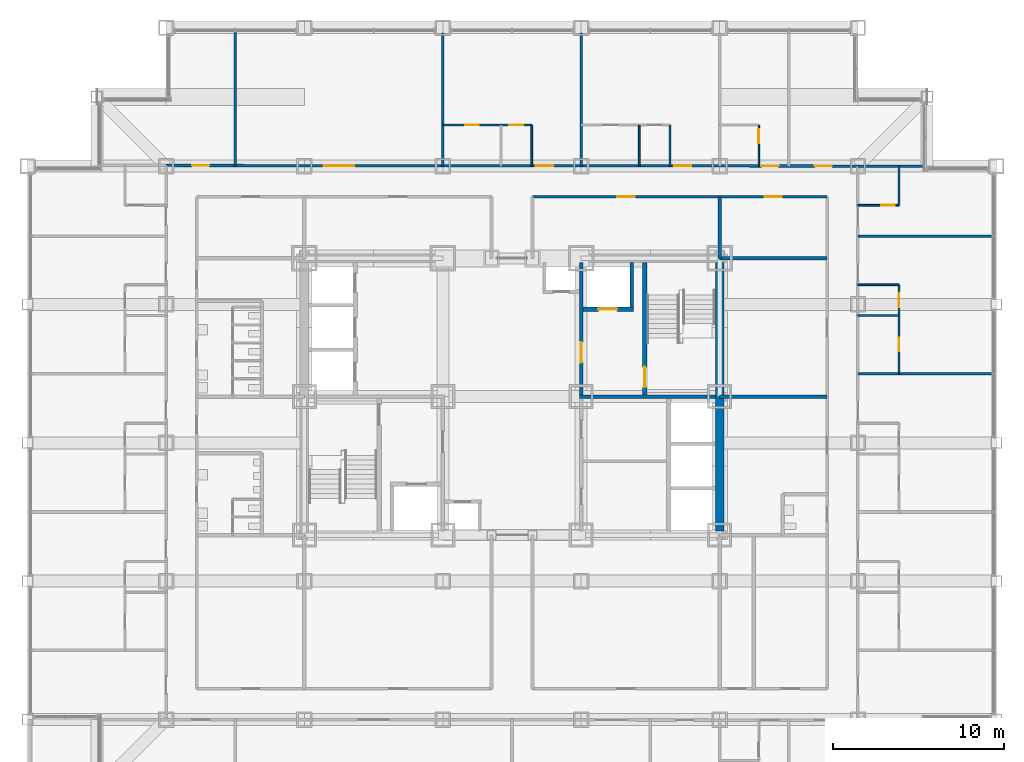
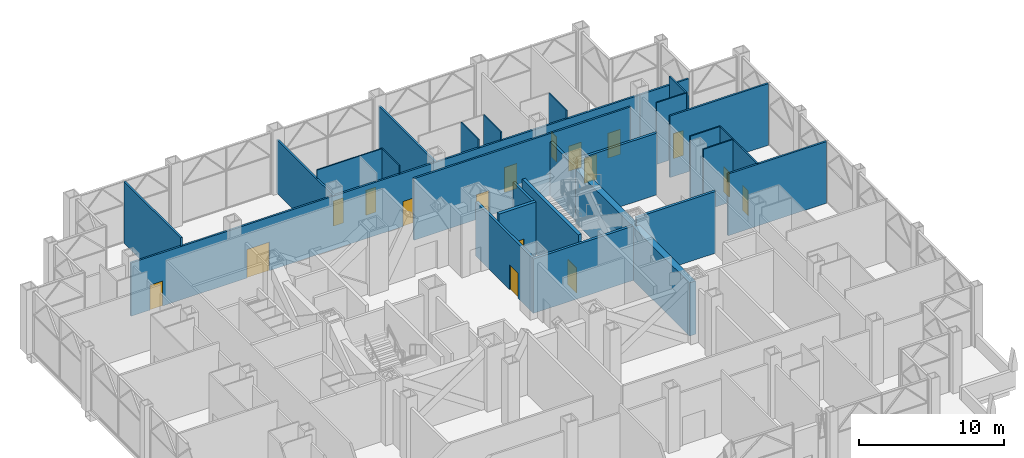
# One storey, part 23 of 26: 27 walls, 17 doors, 17 openings.
"""IFC4 building model written with IfcOpenShell, lengths in metres."""

from ifc_helpers import new_model, si_unit, direction, frame, frame_2d, origin, place, context, subcontext, project, spatial, rectangle, extrude, material, layer, layer_set, type_object, element, fill, save


model = new_model("IFC4")

# Units and contexts
model_context = context("Model", 3, precision=1e-05, world=origin(), true_north=direction((0.0, 1.0)))
body_context = subcontext(model_context, "Body", "Model", "MODEL_VIEW")
ifc_project = project(units=[si_unit("LENGTHUNIT", "METRE"), si_unit("AREAUNIT", "SQUARE_METRE"), si_unit("VOLUMEUNIT", "CUBIC_METRE"), si_unit("PLANEANGLEUNIT", "RADIAN"), si_unit("MASSUNIT", "GRAM", prefix="KILO")], contexts=[model_context])

# Site, building, storey
site_placement = place(None, origin())
site = spatial("IfcSite", under=ifc_project, at=site_placement, CompositionType="ELEMENT")
building_placement = place(site_placement, origin())
building = spatial("IfcBuilding", under=site, at=building_placement, Name="Kopane Lantern Tower", CompositionType="ELEMENT")
storey_placement = place(building_placement, frame((0.0, 0.0, 98.0)))
storey = spatial("IfcBuildingStorey", under=building, at=storey_placement, Name="L24", CompositionType="ELEMENT", Elevation=98.0)

# Wall, openings, doors
ifc_material_1 = material(Name="Moisture-resistant board on steel studs", Category="steel")
ifc_layer_1 = layer(ifc_material_1, 0.10009765625)
ifc_layer_set_1 = layer_set([ifc_layer_1], Name="BATHROOM WALL 100")
wall_type_1 = type_object("IfcWallType", Name="BATHROOM WALL 100", PredefinedType="PARTITIONING", material=ifc_layer_set_1)
wall_1_placement = place(storey_placement, frame((24.300048828125, 48.300048828125, 0.0), z_axis=(0.0, 0.0, 1.0), x_axis=(1.0, 0.0, 0.0)))
wall_1 = element("IfcWall", 1, at=wall_1_placement, inside=storey, type_object=wall_type_1, Name="Bathroom Wall 100 L24", PredefinedType="PARTITIONING", context=body_context, shape_type="SweptSolid", body=[
    extrude(rectangle(XDim=5.199951171875, YDim=0.10009765625, at=frame_2d((2.60009765625, 0.0))), origin(), (0.0, 0.0, 1.0), 5.18994140625),
])
opening_1_placement = place(wall_1_placement, frame((1.300048828125, 0.0, 0.0)))
opening_1 = element("IfcOpeningElement", 2, at=opening_1_placement, cuts=wall_1, Name="Opening L24-023", PredefinedType="OPENING", context=body_context, shape_type="SweptSolid", body=[
    extrude(rectangle(XDim=0.800048828125, YDim=2.10009765625, at=frame_2d((0.39990234375, 1.050048828125))), frame((0.0, 0.06005859375, 0.0), z_axis=(0.0, -1.0, 0.0), x_axis=(1.0, 0.0, 0.0)), (0.0, 0.0, 1.0), 0.1201171875),
])
opening_2_placement = place(wall_1_placement, frame((3.89990234375, 0.0, 0.0)))
opening_2 = element("IfcOpeningElement", 3, at=opening_2_placement, cuts=wall_1, Name="Opening L24-024", PredefinedType="OPENING", context=body_context, shape_type="SweptSolid", body=[
    extrude(rectangle(XDim=0.800048828125, YDim=2.10009765625, at=frame_2d((0.39990234375, 1.050048828125))), frame((0.0, 0.06005859375, 0.0), z_axis=(0.0, -1.0, 0.0), x_axis=(1.0, 0.0, 0.0)), (0.0, 0.0, 1.0), 0.1201171875),
])
ifc_material_2 = material(Name="Timber door set", Category="wood")
door_type_1 = type_object("IfcDoorType", Name="DOOR D2 800x2100", OperationType="SINGLE_SWING_LEFT", PredefinedType="DOOR", material=ifc_material_2)
door_1_placement = place(opening_1_placement, origin())
door_1 = element("IfcDoor", 4, at=door_1_placement, inside=storey, type_object=door_type_1, Name="Door L24-023", OperationType="SINGLE_SWING_LEFT", OverallHeight=2.10009765625, OverallWidth=0.800048828125, PredefinedType="DOOR", context=body_context, shape_type="SweptSolid", body=[
    extrude(rectangle(XDim=0.800048828125, YDim=2.10009765625, at=frame_2d((0.39990234375, 1.050048828125))), frame((0.0, 0.02490234375, 0.0), z_axis=(0.0, -1.0, 0.0), x_axis=(1.0, 0.0, 0.0)), (0.0, 0.0, 1.0), 0.050048828125),
])
fill(opening_1, door_1)
door_2_placement = place(opening_2_placement, origin())
door_2 = element("IfcDoor", 5, at=door_2_placement, inside=storey, type_object=door_type_1, Name="Door L24-024", OperationType="SINGLE_SWING_LEFT", OverallHeight=2.10009765625, OverallWidth=0.800048828125, PredefinedType="DOOR", context=body_context, shape_type="SweptSolid", body=[
    extrude(rectangle(XDim=0.800048828125, YDim=2.10009765625, at=frame_2d((0.39990234375, 1.050048828125))), frame((0.0, 0.02490234375, 0.0), z_axis=(0.0, -1.0, 0.0), x_axis=(1.0, 0.0, 0.0)), (0.0, 0.0, 1.0), 0.050048828125),
])
fill(opening_2, door_2)

# Walls
for number, where, z_axis, x_axis, name in (
    (6, (29.5, 45.89990234375, 0.0), (0.0, 0.0, 1.0), (0.0, 1.0, 0.0), "Bathroom Wall 100 L24"),
    (7, (35.800048828125, 45.89990234375, 0.0), (0.0, 0.0, 1.0), (0.0, 1.0, 0.0), "Bathroom Wall 100 L24"),
    (8, (37.60009765625, 45.89990234375, 0.0), (0.0, 0.0, 1.0), (0.0, 1.0, 0.0), "Bathroom Wall 100 L24"),
):
    element("IfcWall", number, at=place(storey_placement, frame(where, z_axis=z_axis, x_axis=x_axis)), inside=storey, type_object=wall_type_1, Name=name, PredefinedType="PARTITIONING", context=body_context, shape_type="SweptSolid", body=[
        extrude(rectangle(XDim=2.400146484375, YDim=0.10009765625, at=frame_2d((1.2001953125, 0.0))), origin(), (0.0, 0.0, 1.0), 5.18994140625),
    ])

# Wall, opening, door
wall_2_placement = place(storey_placement, frame((42.800048828125, 45.89990234375, 0.0), z_axis=(0.0, 0.0, 1.0), x_axis=(0.0, 1.0, 0.0)))
wall_2 = element("IfcWall", 9, at=wall_2_placement, inside=storey, type_object=wall_type_1, Name="Bathroom Wall 100 L24", PredefinedType="PARTITIONING", context=body_context, shape_type="SweptSolid", body=[
    extrude(rectangle(XDim=2.400146484375, YDim=0.10009765625, at=frame_2d((1.2001953125, 0.0))), origin(), (0.0, 0.0, 1.0), 5.18994140625),
])
opening_3_placement = place(wall_2_placement, frame((1.35009765625, 0.0, 0.0)))
opening_3 = element("IfcOpeningElement", 10, at=opening_3_placement, cuts=wall_2, Name="Opening L24-029", PredefinedType="OPENING", context=body_context, shape_type="SweptSolid", body=[
    extrude(rectangle(XDim=0.800048828125, YDim=2.10009765625, at=frame_2d((0.39990234375, 1.050048828125))), frame((0.0, 0.06005859375, 0.0), z_axis=(0.0, -1.0, 0.0), x_axis=(1.0, 0.0, 0.0)), (0.0, 0.0, 1.0), 0.1201171875),
])
door_3_placement = place(opening_3_placement, origin())
door_3 = element("IfcDoor", 11, at=door_3_placement, inside=storey, type_object=door_type_1, Name="Door L24-029", OperationType="SINGLE_SWING_RIGHT", OverallHeight=2.10009765625, OverallWidth=0.800048828125, PredefinedType="DOOR", context=body_context, shape_type="SweptSolid", body=[
    extrude(rectangle(XDim=0.800048828125, YDim=2.10009765625, at=frame_2d((0.39990234375, 1.050048828125))), frame((0.0, 0.02490234375, 0.0), z_axis=(0.0, -1.0, 0.0), x_axis=(1.0, 0.0, 0.0)), (0.0, 0.0, 1.0), 0.050048828125),
])
fill(opening_3, door_3)

# Wall, openings, doors
wall_3_placement = place(storey_placement, frame((51.0, 33.75, 0.0), z_axis=(0.0, 0.0, 1.0), x_axis=(0.0, 1.0, 0.0)))
wall_3 = element("IfcWall", 12, at=wall_3_placement, inside=storey, type_object=wall_type_1, Name="Bathroom Wall 100 L24", PredefinedType="PARTITIONING", context=body_context, shape_type="SweptSolid", body=[
    extrude(rectangle(XDim=5.199951171875, YDim=0.10009765625, at=frame_2d((2.60009765625, 0.0))), origin(), (0.0, 0.0, 1.0), 5.18994140625),
])
opening_4_placement = place(wall_3_placement, frame((1.300048828125, 0.0, 0.0)))
opening_4 = element("IfcOpeningElement", 13, at=opening_4_placement, cuts=wall_3, Name="Opening L24-050", PredefinedType="OPENING", context=body_context, shape_type="SweptSolid", body=[
    extrude(rectangle(XDim=0.800048828125, YDim=2.10009765625, at=frame_2d((0.39990234375, 1.050048828125))), frame((0.0, 0.06005859375, 0.0), z_axis=(0.0, -1.0, 0.0), x_axis=(1.0, 0.0, 0.0)), (0.0, 0.0, 1.0), 0.1201171875),
])
opening_5_placement = place(wall_3_placement, frame((3.89990234375, 0.0, 0.0)))
opening_5 = element("IfcOpeningElement", 14, at=opening_5_placement, cuts=wall_3, Name="Opening L24-051", PredefinedType="OPENING", context=body_context, shape_type="SweptSolid", body=[
    extrude(rectangle(XDim=0.800048828125, YDim=2.10009765625, at=frame_2d((0.39990234375, 1.050048828125))), frame((0.0, 0.06005859375, 0.0), z_axis=(0.0, -1.0, 0.0), x_axis=(1.0, 0.0, 0.0)), (0.0, 0.0, 1.0), 0.1201171875),
])
door_4_placement = place(opening_4_placement, origin())
door_4 = element("IfcDoor", 15, at=door_4_placement, inside=storey, type_object=door_type_1, Name="Door L24-050", OperationType="SINGLE_SWING_RIGHT", OverallHeight=2.10009765625, OverallWidth=0.800048828125, PredefinedType="DOOR", context=body_context, shape_type="SweptSolid", body=[
    extrude(rectangle(XDim=0.800048828125, YDim=2.10009765625, at=frame_2d((0.39990234375, 1.050048828125))), frame((0.0, 0.02490234375, 0.0), z_axis=(0.0, -1.0, 0.0), x_axis=(1.0, 0.0, 0.0)), (0.0, 0.0, 1.0), 0.050048828125),
])
fill(opening_4, door_4)
door_5_placement = place(opening_5_placement, origin())
door_5 = element("IfcDoor", 16, at=door_5_placement, inside=storey, type_object=door_type_1, Name="Door L24-051", OperationType="SINGLE_SWING_RIGHT", OverallHeight=2.10009765625, OverallWidth=0.800048828125, PredefinedType="DOOR", context=body_context, shape_type="SweptSolid", body=[
    extrude(rectangle(XDim=0.800048828125, YDim=2.10009765625, at=frame_2d((0.39990234375, 1.050048828125))), frame((0.0, 0.02490234375, 0.0), z_axis=(0.0, -1.0, 0.0), x_axis=(1.0, 0.0, 0.0)), (0.0, 0.0, 1.0), 0.050048828125),
])
fill(opening_5, door_5)

# Walls
for number, where, z_axis, x_axis, name in (
    (17, (48.60009765625, 37.14990234375, 0.0), (0.0, 0.0, 1.0), (1.0, 0.0, 0.0), "Bathroom Wall 100 L24"),
    (18, (48.60009765625, 38.949951171875, 0.0), (0.0, 0.0, 1.0), (1.0, 0.0, 0.0), "Bathroom Wall 100 L24"),
):
    element("IfcWall", number, at=place(storey_placement, frame(where, z_axis=z_axis, x_axis=x_axis)), inside=storey, type_object=wall_type_1, Name=name, PredefinedType="PARTITIONING", context=body_context, shape_type="SweptSolid", body=[
        extrude(rectangle(XDim=2.39990234375, YDim=0.10009765625, at=frame_2d((1.199951171875, 0.0))), origin(), (0.0, 0.0, 1.0), 5.18994140625),
    ])
wall_4_placement = place(storey_placement, frame((51.0, 43.60009765625, 0.0), z_axis=(0.0, 0.0, 1.0), x_axis=(0.0, 1.0, 0.0)))
element("IfcWall", 19, at=wall_4_placement, inside=storey, type_object=wall_type_1, Name="Bathroom Wall 100 L24", PredefinedType="PARTITIONING", context=body_context, shape_type="SweptSolid", body=[
    extrude(rectangle(XDim=2.2998046875, YDim=0.10009765625, at=frame_2d((1.14990234375, 0.0))), origin(), (0.0, 0.0, 1.0), 5.18994140625),
])

# Wall, opening, door
wall_5_placement = place(storey_placement, frame((48.60009765625, 43.60009765625, 0.0), z_axis=(0.0, 0.0, 1.0), x_axis=(1.0, 0.0, 0.0)))
wall_5 = element("IfcWall", 20, at=wall_5_placement, inside=storey, type_object=wall_type_1, Name="Bathroom Wall 100 L24", PredefinedType="PARTITIONING", context=body_context, shape_type="SweptSolid", body=[
    extrude(rectangle(XDim=2.39990234375, YDim=0.10009765625, at=frame_2d((1.199951171875, 0.0))), origin(), (0.0, 0.0, 1.0), 5.18994140625),
])
opening_6_placement = place(wall_5_placement, frame((1.35009765625, 0.0, 0.0)))
opening_6 = element("IfcOpeningElement", 21, at=opening_6_placement, cuts=wall_5, Name="Opening L24-053", PredefinedType="OPENING", context=body_context, shape_type="SweptSolid", body=[
    extrude(rectangle(XDim=0.800048828125, YDim=2.10009765625, at=frame_2d((0.39990234375, 1.050048828125))), frame((0.0, 0.06005859375, 0.0), z_axis=(0.0, -1.0, 0.0), x_axis=(1.0, 0.0, 0.0)), (0.0, 0.0, 1.0), 0.1201171875),
])
door_6_placement = place(opening_6_placement, origin())
door_6 = element("IfcDoor", 22, at=door_6_placement, inside=storey, type_object=door_type_1, Name="Door L24-053", OperationType="SINGLE_SWING_RIGHT", OverallHeight=2.10009765625, OverallWidth=0.800048828125, PredefinedType="DOOR", context=body_context, shape_type="SweptSolid", body=[
    extrude(rectangle(XDim=0.800048828125, YDim=2.10009765625, at=frame_2d((0.39990234375, 1.050048828125))), frame((0.0, 0.02490234375, 0.0), z_axis=(0.0, -1.0, 0.0), x_axis=(1.0, 0.0, 0.0)), (0.0, 0.0, 1.0), 0.050048828125),
])
fill(opening_6, door_6)

# Wall
ifc_material_3 = material(Name="Gypsum shaft wall EI 120", Category="gypsum")
ifc_layer_2 = layer(ifc_material_3, 0.5)
ifc_layer_set_2 = layer_set([ifc_layer_2], Name="CORE PERIMETER WALL 500 EI 120")
wall_type_2 = type_object("IfcWallType", Name="CORE PERIMETER WALL 500 EI 120", PredefinedType="SOLIDWALL", material=ifc_layer_set_2)
wall_6_placement = place(storey_placement, frame((40.5, 24.550048828125, 0.0), z_axis=(0.0, 0.0, 1.0), x_axis=(0.0, 1.0, 0.0)))
element("IfcWall", 23, at=wall_6_placement, inside=storey, type_object=wall_type_2, Name="Core shaft wall L24 PE", PredefinedType="SOLIDWALL", context=body_context, shape_type="SweptSolid", body=[
    extrude(rectangle(XDim=15.699951171875, YDim=0.5, at=frame_2d((7.85009765625, 0.0))), origin(), (0.0, 0.0, 1.0), 4.489990234375),
])

# Wall, opening, door
ifc_material_4 = material(Name="Gypsum shaft wall EI 120", Category="gypsum")
ifc_layer_3 = layer(ifc_material_4, 0.25)
ifc_layer_set_3 = layer_set([ifc_layer_3], Name="CORE SHAFT WALL 250 EI 120")
wall_type_3 = type_object("IfcWallType", Name="CORE SHAFT WALL 250 EI 120", PredefinedType="SOLIDWALL", material=ifc_layer_set_3)
wall_7_placement = place(storey_placement, frame((36.125, 32.5, 0.0), z_axis=(0.0, 0.0, 1.0), x_axis=(0.0, 1.0, 0.0)))
wall_7 = element("IfcWall", 24, at=wall_7_placement, inside=storey, type_object=wall_type_3, Name="Core shaft wall L24 XST2", PredefinedType="SOLIDWALL", context=body_context, shape_type="SweptSolid", body=[
    extrude(rectangle(XDim=7.75, YDim=0.25, at=frame_2d((3.875, 0.0))), origin(), (0.0, 0.0, 1.0), 5.18994140625),
])
opening_7_placement = place(wall_7_placement, frame((0.449951171875, 0.0, 0.0)))
opening_7 = element("IfcOpeningElement", 25, at=opening_7_placement, cuts=wall_7, Name="Opening 24.SD2", PredefinedType="OPENING", context=body_context, shape_type="SweptSolid", body=[
    extrude(rectangle(XDim=1.199951171875, YDim=2.10009765625, at=frame_2d((0.60009765625, 1.050048828125))), frame((0.0, 0.135009765625, 0.0), z_axis=(0.0, -1.0, 0.0), x_axis=(1.0, 0.0, 0.0)), (0.0, 0.0, 1.0), 0.27001953125),
])
ifc_material_5 = material(Name="Steel door set", Category="steel")
door_type_2 = type_object("IfcDoorType", Name="STAIR DOOR 1200x2100 FD60S", OperationType="SINGLE_SWING_LEFT", PredefinedType="DOOR", material=ifc_material_5)
door_7_placement = place(opening_7_placement, origin())
door_7 = element("IfcDoor", 26, at=door_7_placement, inside=storey, type_object=door_type_2, Name="Stair door ST2 L24", OperationType="SINGLE_SWING_RIGHT", OverallHeight=2.10009765625, OverallWidth=1.199951171875, PredefinedType="DOOR", context=body_context, shape_type="SweptSolid", body=[
    extrude(rectangle(XDim=1.199951171875, YDim=2.10009765625, at=frame_2d((0.60009765625, 1.050048828125))), frame((0.0, 0.02490234375, 0.0), z_axis=(0.0, -1.0, 0.0), x_axis=(1.0, 0.0, 0.0)), (0.0, 0.0, 1.0), 0.050048828125),
])
fill(opening_7, door_7)

wall_8_placement = place(storey_placement, frame((32.5, 37.52490234375, 0.0), z_axis=(0.0, 0.0, 1.0), x_axis=(1.0, 0.0, 0.0)))
wall_8 = element("IfcWall", 27, at=wall_8_placement, inside=storey, type_object=wall_type_3, Name="Core shaft wall L24 YLF2", PredefinedType="SOLIDWALL", context=body_context, shape_type="SweptSolid", body=[
    extrude(rectangle(XDim=2.949951171875, YDim=0.25, at=frame_2d((1.47509765625, 0.0))), origin(), (0.0, 0.0, 1.0), 5.18994140625),
])
opening_8_placement = place(wall_8_placement, frame((0.89990234375, 0.0, 0.0)))
opening_8 = element("IfcOpeningElement", 28, at=opening_8_placement, cuts=wall_8, Name="Opening 24.LD-LF2", PredefinedType="OPENING", context=body_context, shape_type="SweptSolid", body=[
    extrude(rectangle(XDim=1.10009765625, YDim=2.39990234375, at=frame_2d((0.550048828125, 1.199951171875))), frame((0.0, 0.135009765625, 0.0), z_axis=(0.0, -1.0, 0.0), x_axis=(1.0, 0.0, 0.0)), (0.0, 0.0, 1.0), 0.27001953125),
])
ifc_material_6 = material(Name="Steel door set", Category="steel")
door_type_3 = type_object("IfcDoorType", Name="LIFT LANDING DOOR 1100x2400 FD60", OperationType="DOUBLE_DOOR_SLIDING", PredefinedType="DOOR", material=ifc_material_6)
door_8_placement = place(opening_8_placement, origin())
door_8 = element("IfcDoor", 29, at=door_8_placement, inside=storey, type_object=door_type_3, Name="Landing door LF2 L24", OperationType="DOUBLE_DOOR_SLIDING", OverallHeight=2.39990234375, OverallWidth=1.10009765625, PredefinedType="DOOR", context=body_context, shape_type="SweptSolid", body=[
    extrude(rectangle(XDim=1.10009765625, YDim=2.39990234375, at=frame_2d((0.550048828125, 1.199951171875))), frame((0.0, 0.02490234375, 0.0), z_axis=(0.0, -1.0, 0.0), x_axis=(1.0, 0.0, 0.0)), (0.0, 0.0, 1.0), 0.050048828125),
])
fill(opening_8, door_8)

# Wall, openings, doors
ifc_material_7 = material(Name="Gypsum board on steel studs", Category="steel")
ifc_layer_4 = layer(ifc_material_7, 0.14990234375)
ifc_layer_set_4 = layer_set([ifc_layer_4], Name="CORRIDOR WALL 150 EI 60")
wall_type_4 = type_object("IfcWallType", Name="CORRIDOR WALL 150 EI 60", PredefinedType="PARTITIONING", material=ifc_layer_set_4)
wall_9_placement = place(storey_placement, frame((8.10009765625, 45.93505859375, 0.0), z_axis=(0.0, 0.0, 1.0), x_axis=(0.99999962324, -0.000868055229, 0.0)))
wall_9 = element("IfcWall", 30, at=wall_9_placement, inside=storey, type_object=wall_type_4, Name="Corridor Wall 150 Ei 60 L24", PredefinedType="PARTITIONING", context=body_context, shape_type="SweptSolid", body=[
    extrude(rectangle(XDim=40.5, YDim=0.14990234375, at=frame_2d((20.25, 0.0))), origin(), (0.0, 0.0, 1.0), 4.489990234375),
])
opening_9_placement = place(wall_9_placement, frame((9.22509765625, 0.0, 0.0)))
opening_9 = element("IfcOpeningElement", 31, at=opening_9_placement, cuts=wall_9, Name="Opening L24-022", PredefinedType="OPENING", context=body_context, shape_type="SweptSolid", body=[
    extrude(rectangle(XDim=1.800048828125, YDim=2.39990234375, at=frame_2d((0.89990234375, 1.199951171875))), frame((0.0, 0.0849609375, 0.0), z_axis=(0.0, -1.0, 0.0), x_axis=(1.0, 0.0, 0.0)), (0.0, 0.0, 1.0), 0.169921875),
])
opening_10_placement = place(wall_9_placement, frame((21.64990234375, 0.0, 0.0)))
opening_10 = element("IfcOpeningElement", 32, at=opening_10_placement, cuts=wall_9, Name="Opening L24-025", PredefinedType="OPENING", context=body_context, shape_type="SweptSolid", body=[
    extrude(rectangle(XDim=1.0, YDim=2.10009765625, at=frame_2d((0.5, 1.050048828125))), frame((0.0, 0.0849609375, 0.0), z_axis=(0.0, -1.0, 0.0), x_axis=(1.0, 0.0, 0.0)), (0.0, 0.0, 1.0), 0.169921875),
])
opening_11_placement = place(wall_9_placement, frame((29.75, 0.0, 0.0)))
opening_11 = element("IfcOpeningElement", 33, at=opening_11_placement, cuts=wall_9, Name="Opening L24-028", PredefinedType="OPENING", context=body_context, shape_type="SweptSolid", body=[
    extrude(rectangle(XDim=1.0, YDim=2.10009765625, at=frame_2d((0.5, 1.050048828125))), frame((0.0, 0.0849609375, 0.0), z_axis=(0.0, -1.0, 0.0), x_axis=(1.0, 0.0, 0.0)), (0.0, 0.0, 1.0), 0.169921875),
])
opening_12_placement = place(wall_9_placement, frame((34.85009765625, 0.0, 0.0)))
opening_12 = element("IfcOpeningElement", 34, at=opening_12_placement, cuts=wall_9, Name="Opening L24-030", PredefinedType="OPENING", context=body_context, shape_type="SweptSolid", body=[
    extrude(rectangle(XDim=1.0, YDim=2.10009765625, at=frame_2d((0.5, 1.050048828125))), frame((0.0, 0.0849609375, 0.0), z_axis=(0.0, -1.0, 0.0), x_axis=(1.0, 0.0, 0.0)), (0.0, 0.0, 1.0), 0.169921875),
])
opening_13_placement = place(wall_9_placement, frame((37.97509765625, 0.0, 0.0)))
opening_13 = element("IfcOpeningElement", 35, at=opening_13_placement, cuts=wall_9, Name="Opening L24-057", PredefinedType="OPENING", context=body_context, shape_type="SweptSolid", body=[
    extrude(rectangle(XDim=1.0, YDim=2.10009765625, at=frame_2d((0.5, 1.050048828125))), frame((0.0, 0.0849609375, 0.0), z_axis=(0.0, -1.0, 0.0), x_axis=(1.0, 0.0, 0.0)), (0.0, 0.0, 1.0), 0.169921875),
])
opening_14_placement = place(wall_9_placement, frame((1.52490234375, 0.0, 0.0)))
opening_14 = element("IfcOpeningElement", 36, at=opening_14_placement, cuts=wall_9, Name="Opening L24-058", PredefinedType="OPENING", context=body_context, shape_type="SweptSolid", body=[
    extrude(rectangle(XDim=1.0, YDim=2.10009765625, at=frame_2d((0.5, 1.050048828125))), frame((0.0, 0.0849609375, 0.0), z_axis=(0.0, -1.0, 0.0), x_axis=(1.0, 0.0, 0.0)), (0.0, 0.0, 1.0), 0.169921875),
])
ifc_material_8 = material(Name="Steel door set", Category="steel")
door_type_4 = type_object("IfcDoorType", Name="DOOR D1 1000x2100 FD30S", OperationType="SINGLE_SWING_LEFT", PredefinedType="DOOR", material=ifc_material_8)
door_9_placement = place(opening_10_placement, origin())
door_9 = element("IfcDoor", 37, at=door_9_placement, inside=storey, type_object=door_type_4, Name="Door L24-025", OperationType="SINGLE_SWING_LEFT", OverallHeight=2.10009765625, OverallWidth=1.0, PredefinedType="DOOR", context=body_context, shape_type="SweptSolid", body=[
    extrude(rectangle(XDim=1.0, YDim=2.10009765625, at=frame_2d((0.5, 1.050048828125))), frame((0.0, 0.02490234375, 0.0), z_axis=(0.0, -1.0, 0.0), x_axis=(1.0, 0.0, 0.0)), (0.0, 0.0, 1.0), 0.050048828125),
])
fill(opening_10, door_9)
door_10_placement = place(opening_11_placement, origin())
door_10 = element("IfcDoor", 38, at=door_10_placement, inside=storey, type_object=door_type_4, Name="Door L24-028", OperationType="SINGLE_SWING_LEFT", OverallHeight=2.10009765625, OverallWidth=1.0, PredefinedType="DOOR", context=body_context, shape_type="SweptSolid", body=[
    extrude(rectangle(XDim=1.0, YDim=2.10009765625, at=frame_2d((0.5, 1.050048828125))), frame((0.0, 0.02490234375, 0.0), z_axis=(0.0, -1.0, 0.0), x_axis=(1.0, 0.0, 0.0)), (0.0, 0.0, 1.0), 0.050048828125),
])
fill(opening_11, door_10)
door_11_placement = place(opening_12_placement, origin())
door_11 = element("IfcDoor", 39, at=door_11_placement, inside=storey, type_object=door_type_4, Name="Door L24-030", OperationType="SINGLE_SWING_LEFT", OverallHeight=2.10009765625, OverallWidth=1.0, PredefinedType="DOOR", context=body_context, shape_type="SweptSolid", body=[
    extrude(rectangle(XDim=1.0, YDim=2.10009765625, at=frame_2d((0.5, 1.050048828125))), frame((0.0, 0.02490234375, 0.0), z_axis=(0.0, -1.0, 0.0), x_axis=(1.0, 0.0, 0.0)), (0.0, 0.0, 1.0), 0.050048828125),
])
fill(opening_12, door_11)
ifc_material_9 = material(Name="Steel door set", Category="steel")
door_type_5 = type_object("IfcDoorType", Name="DOOR D5 1000x2100 FD60", OperationType="SINGLE_SWING_LEFT", PredefinedType="DOOR", material=ifc_material_9)
door_12_placement = place(opening_13_placement, origin())
door_12 = element("IfcDoor", 40, at=door_12_placement, inside=storey, type_object=door_type_5, Name="Door L24-057", OperationType="SINGLE_SWING_LEFT", OverallHeight=2.10009765625, OverallWidth=1.0, PredefinedType="DOOR", context=body_context, shape_type="SweptSolid", body=[
    extrude(rectangle(XDim=1.0, YDim=2.10009765625, at=frame_2d((0.5, 1.050048828125))), frame((0.0, 0.02490234375, 0.0), z_axis=(0.0, -1.0, 0.0), x_axis=(1.0, 0.0, 0.0)), (0.0, 0.0, 1.0), 0.050048828125),
])
fill(opening_13, door_12)
door_13_placement = place(opening_14_placement, origin())
door_13 = element("IfcDoor", 41, at=door_13_placement, inside=storey, type_object=door_type_5, Name="Door L24-058", OperationType="SINGLE_SWING_RIGHT", OverallHeight=2.10009765625, OverallWidth=1.0, PredefinedType="DOOR", context=body_context, shape_type="SweptSolid", body=[
    extrude(rectangle(XDim=1.0, YDim=2.10009765625, at=frame_2d((0.5, 1.050048828125))), frame((0.0, 0.02490234375, 0.0), z_axis=(0.0, -1.0, 0.0), x_axis=(1.0, 0.0, 0.0)), (0.0, 0.0, 1.0), 0.050048828125),
])
fill(opening_14, door_13)
ifc_material_10 = material(Name="Steel door set", Category="steel")
door_type_6 = type_object("IfcDoorType", Name="DOOR D6 1800x2400 FD30S", OperationType="SINGLE_SWING_LEFT", PredefinedType="DOOR", material=ifc_material_10)
door_14_placement = place(opening_9_placement, origin())
door_14 = element("IfcDoor", 42, at=door_14_placement, inside=storey, type_object=door_type_6, Name="Door L24-022", OperationType="DOUBLE_DOOR_SINGLE_SWING", OverallHeight=2.39990234375, OverallWidth=1.800048828125, PredefinedType="DOOR", context=body_context, shape_type="SweptSolid", body=[
    extrude(rectangle(XDim=1.800048828125, YDim=2.39990234375, at=frame_2d((0.89990234375, 1.199951171875))), frame((0.0, 0.02490234375, 0.0), z_axis=(0.0, -1.0, 0.0), x_axis=(1.0, 0.0, 0.0)), (0.0, 0.0, 1.0), 0.050048828125),
])
fill(opening_9, door_14)

wall_10_placement = place(storey_placement, frame((46.800048828125, 44.10009765625, 0.0), z_axis=(0.0, 0.0, 1.0), x_axis=(-1.0, 0.0, 0.0)))
wall_10 = element("IfcWall", 43, at=wall_10_placement, inside=storey, type_object=wall_type_4, Name="Corridor Wall 150 Ei 60 L24", PredefinedType="PARTITIONING", context=body_context, shape_type="SweptSolid", body=[
    extrude(rectangle(XDim=17.239990234375, YDim=0.14990234375, at=frame_2d((8.6201171875, 0.0))), origin(), (0.0, 0.0, 1.0), 5.18994140625),
])
opening_15_placement = place(wall_10_placement, frame((11.27490234375, 0.0, 0.0)))
opening_15 = element("IfcOpeningElement", 44, at=opening_15_placement, cuts=wall_10, Name="Opening L24-015", PredefinedType="OPENING", context=body_context, shape_type="SweptSolid", body=[
    extrude(rectangle(XDim=1.0, YDim=2.10009765625, at=frame_2d((0.5, 1.050048828125))), frame((0.0, 0.0849609375, 0.0), z_axis=(0.0, -1.0, 0.0), x_axis=(1.0, 0.0, 0.0)), (0.0, 0.0, 1.0), 0.169921875),
])
opening_16_placement = place(wall_10_placement, frame((2.64990234375, 0.0, 0.0)))
opening_16 = element("IfcOpeningElement", 45, at=opening_16_placement, cuts=wall_10, Name="Opening L24-016", PredefinedType="OPENING", context=body_context, shape_type="SweptSolid", body=[
    extrude(rectangle(XDim=1.0, YDim=2.10009765625, at=frame_2d((0.5, 1.050048828125))), frame((0.0, 0.0849609375, 0.0), z_axis=(0.0, -1.0, 0.0), x_axis=(1.0, 0.0, 0.0)), (0.0, 0.0, 1.0), 0.169921875),
])
door_15_placement = place(opening_15_placement, origin())
door_15 = element("IfcDoor", 46, at=door_15_placement, inside=storey, type_object=door_type_5, Name="Door L24-015", OperationType="SINGLE_SWING_RIGHT", OverallHeight=2.10009765625, OverallWidth=1.0, PredefinedType="DOOR", context=body_context, shape_type="SweptSolid", body=[
    extrude(rectangle(XDim=1.0, YDim=2.10009765625, at=frame_2d((0.5, 1.050048828125))), frame((0.0, 0.02490234375, 0.0), z_axis=(0.0, -1.0, 0.0), x_axis=(1.0, 0.0, 0.0)), (0.0, 0.0, 1.0), 0.050048828125),
])
fill(opening_15, door_15)
door_16_placement = place(opening_16_placement, origin())
door_16 = element("IfcDoor", 47, at=door_16_placement, inside=storey, type_object=door_type_5, Name="Door L24-016", OperationType="SINGLE_SWING_LEFT", OverallHeight=2.10009765625, OverallWidth=1.0, PredefinedType="DOOR", context=body_context, shape_type="SweptSolid", body=[
    extrude(rectangle(XDim=1.0, YDim=2.10009765625, at=frame_2d((0.5, 1.050048828125))), frame((0.0, 0.02490234375, 0.0), z_axis=(0.0, -1.0, 0.0), x_axis=(1.0, 0.0, 0.0)), (0.0, 0.0, 1.0), 0.050048828125),
])
fill(opening_16, door_16)

# Walls
ifc_material_11 = material(Name="Gypsum board on steel studs", Category="steel")
ifc_layer_5 = layer(ifc_material_11, 0.14990234375)
ifc_layer_set_5 = layer_set([ifc_layer_5], Name="DEMISING WALL 150 EI 60")
wall_type_5 = type_object("IfcWallType", Name="DEMISING WALL 150 EI 60", PredefinedType="PARTITIONING", material=ifc_layer_set_5)
for number, where, z_axis, x_axis, name in (
    (48, (24.300048828125, 45.89990234375, 0.0), (0.0, 0.0, 1.0), (0.0, 1.0, 0.0), "Demising Wall 150 Ei 60 L24"),
    (49, (32.39990234375, 45.89990234375, 0.0), (0.0, 0.0, 1.0), (0.0, 1.0, 0.0), "Demising Wall 150 Ei 60 L24"),
):
    element("IfcWall", number, at=place(storey_placement, frame(where, z_axis=z_axis, x_axis=x_axis)), inside=storey, type_object=wall_type_5, Name=name, PredefinedType="PARTITIONING", context=body_context, shape_type="SweptSolid", body=[
        extrude(rectangle(XDim=7.800048828125, YDim=0.14990234375, at=frame_2d((3.89990234375, 0.0))), origin(), (0.0, 0.0, 1.0), 4.489990234375),
    ])
for number, where, z_axis, x_axis, name in (
    (50, (48.60009765625, 33.75, 0.0), (0.0, 0.0, 1.0), (1.0, 0.0, 0.0), "Demising Wall 150 Ei 60 L24"),
    (51, (48.60009765625, 41.78759765625, 0.0), (0.0, 0.0, 1.0), (1.0, 0.0, 0.0), "Demising Wall 150 Ei 60 L24"),
):
    element("IfcWall", number, at=place(storey_placement, frame(where, z_axis=z_axis, x_axis=x_axis)), inside=storey, type_object=wall_type_5, Name=name, PredefinedType="PARTITIONING", context=body_context, shape_type="SweptSolid", body=[
        extrude(rectangle(XDim=7.83447265625, YDim=0.14990234375, at=frame_2d((3.917236328125, 0.0))), origin(), (0.0, 0.0, 1.0), 5.18994140625),
    ])
wall_11_placement = place(storey_placement, frame((48.60009765625, 45.89990234375, 0.0), z_axis=(0.0, 0.0, 1.0), x_axis=(1.0, 0.0, 0.0)))
element("IfcWall", 52, at=wall_11_placement, inside=storey, type_object=wall_type_5, Name="Demising Wall 150 Ei 60 L24", PredefinedType="PARTITIONING", context=body_context, shape_type="SweptSolid", body=[
    extrude(rectangle(XDim=3.8798828125, YDim=0.14990234375, at=frame_2d((1.93994140625, 0.0))), origin(), (0.0, 0.0, 1.0), 4.489990234375),
])
wall_12_placement = place(storey_placement, frame((12.14990234375, 45.89990234375, 0.0), z_axis=(0.0, 0.0, 1.0), x_axis=(0.0, 1.0, 0.0)))
element("IfcWall", 53, at=wall_12_placement, inside=storey, type_object=wall_type_5, Name="Demising Wall 150 Ei 60 L24", PredefinedType="PARTITIONING", context=body_context, shape_type="SweptSolid", body=[
    extrude(rectangle(XDim=7.834716796875, YDim=0.14990234375, at=frame_2d((3.91748046875, 0.0))), origin(), (0.0, 0.0, 1.0), 5.18994140625),
])
ifc_material_12 = material(Name="Concrete masonry", Category="masonry")
ifc_layer_6 = layer(ifc_material_12, 0.199951171875)
ifc_layer_set_6 = layer_set([ifc_layer_6], Name="PLANT ROOM WALL 200 EI 120")
wall_type_6 = type_object("IfcWallType", Name="PLANT ROOM WALL 200 EI 120", PredefinedType="SOLIDWALL", material=ifc_layer_set_6)
wall_13_placement = place(storey_placement, frame((40.5, 32.39990234375, 0.0), z_axis=(0.0, 0.0, 1.0), x_axis=(1.0, 0.0, 0.0)))
element("IfcWall", 54, at=wall_13_placement, inside=storey, type_object=wall_type_6, Name="Plant Room Wall 200 Ei 120 L24", PredefinedType="SOLIDWALL", context=body_context, shape_type="SweptSolid", body=[
    extrude(rectangle(XDim=6.300048828125, YDim=0.199951171875, at=frame_2d((3.14990234375, 0.0))), origin(), (0.0, 0.0, 1.0), 5.18994140625),
])
wall_14_placement = place(storey_placement, frame((40.5, 40.5, 0.0), z_axis=(0.0, 0.0, 1.0), x_axis=(0.0, 1.0, 0.0)))
element("IfcWall", 55, at=wall_14_placement, inside=storey, type_object=wall_type_6, Name="Plant Room Wall 200 Ei 120 L24", PredefinedType="SOLIDWALL", context=body_context, shape_type="SweptSolid", body=[
    extrude(rectangle(XDim=3.60009765625, YDim=0.199951171875, at=frame_2d((1.800048828125, 0.0))), origin(), (0.0, 0.0, 1.0), 4.489990234375),
])
wall_15_placement = place(storey_placement, frame((40.5, 40.5, 0.0), z_axis=(0.0, 0.0, 1.0), x_axis=(1.0, 0.0, 0.0)))
element("IfcWall", 56, at=wall_15_placement, inside=storey, type_object=wall_type_6, Name="Plant Room Wall 200 Ei 120 L24", PredefinedType="SOLIDWALL", context=body_context, shape_type="SweptSolid", body=[
    extrude(rectangle(XDim=6.300048828125, YDim=0.199951171875, at=frame_2d((3.14990234375, 0.0))), origin(), (0.0, 0.0, 1.0), 5.18994140625),
])
ifc_material_13 = material(Name="Gypsum shaft wall EI 120", Category="gypsum")
ifc_layer_7 = layer(ifc_material_13, 0.199951171875)
ifc_layer_set_7 = layer_set([ifc_layer_7], Name="SHAFT WALL 200 EI 120")
wall_type_7 = type_object("IfcWallType", Name="SHAFT WALL 200 EI 120", PredefinedType="SOLIDWALL", material=ifc_layer_set_7)
wall_16_placement = place(storey_placement, frame((32.300048828125, 32.39990234375, 0.0), z_axis=(0.0, 0.0, 1.0), x_axis=(1.0, 0.0, 0.0)))
element("IfcWall", 57, at=wall_16_placement, inside=storey, type_object=wall_type_7, Name="Core shaft wall L24 Y324E", PredefinedType="SOLIDWALL", context=body_context, shape_type="SweptSolid", body=[
    extrude(rectangle(XDim=7.949951171875, YDim=0.199951171875, at=frame_2d((3.97509765625, 0.0))), origin(), (0.0, 0.0, 1.0), 4.577880859375),
])

# Wall, opening, door
wall_17_placement = place(storey_placement, frame((32.39990234375, 32.5, 0.0), z_axis=(0.0, 0.0, 1.0), x_axis=(0.0, 1.0, 0.0)))
wall_17 = element("IfcWall", 58, at=wall_17_placement, inside=storey, type_object=wall_type_7, Name="Core shaft wall L24 X324", PredefinedType="SOLIDWALL", context=body_context, shape_type="SweptSolid", body=[
    extrude(rectangle(XDim=7.75, YDim=0.199951171875, at=frame_2d((3.875, 0.0))), origin(), (0.0, 0.0, 1.0), 4.577880859375),
])
opening_17_placement = place(wall_17_placement, frame((1.89990234375, 0.0, 0.0)))
opening_17 = element("IfcOpeningElement", 59, at=opening_17_placement, cuts=wall_17, Name="Opening 24.FL2", PredefinedType="OPENING", context=body_context, shape_type="SweptSolid", body=[
    extrude(rectangle(XDim=1.199951171875, YDim=2.10009765625, at=frame_2d((0.60009765625, 1.050048828125))), frame((0.0, 0.10986328125, 0.0), z_axis=(0.0, -1.0, 0.0), x_axis=(1.0, 0.0, 0.0)), (0.0, 0.0, 1.0), 0.219970703125),
])
ifc_material_14 = material(Name="Steel door set", Category="steel")
door_type_7 = type_object("IfcDoorType", Name="FIREFIGHTING LOBBY DOOR 1200x2100 FD60S", OperationType="SINGLE_SWING_RIGHT", PredefinedType="DOOR", material=ifc_material_14)
door_17_placement = place(opening_17_placement, origin())
door_17 = element("IfcDoor", 60, at=door_17_placement, inside=storey, type_object=door_type_7, Name="Firefighting lobby door FL2 L24", OperationType="SINGLE_SWING_LEFT", OverallHeight=2.10009765625, OverallWidth=1.199951171875, PredefinedType="DOOR", context=body_context, shape_type="SweptSolid", body=[
    extrude(rectangle(XDim=1.199951171875, YDim=2.10009765625, at=frame_2d((0.60009765625, 1.050048828125))), frame((0.0, 0.02490234375, 0.0), z_axis=(0.0, -1.0, 0.0), x_axis=(1.0, 0.0, 0.0)), (0.0, 0.0, 1.0), 0.050048828125),
])
fill(opening_17, door_17)

# Wall
wall_18_placement = place(storey_placement, frame((35.35009765625, 37.64990234375, 0.0), z_axis=(0.0, 0.0, 1.0), x_axis=(0.0, 1.0, 0.0)))
element("IfcWall", 61, at=wall_18_placement, inside=storey, type_object=wall_type_7, Name="Core shaft wall L24 XLF2", PredefinedType="SOLIDWALL", context=body_context, shape_type="SweptSolid", body=[
    extrude(rectangle(XDim=2.60009765625, YDim=0.199951171875, at=frame_2d((1.300048828125, 0.0))), origin(), (0.0, 0.0, 1.0), 5.18994140625),
])

save(model, "model.ifc")
